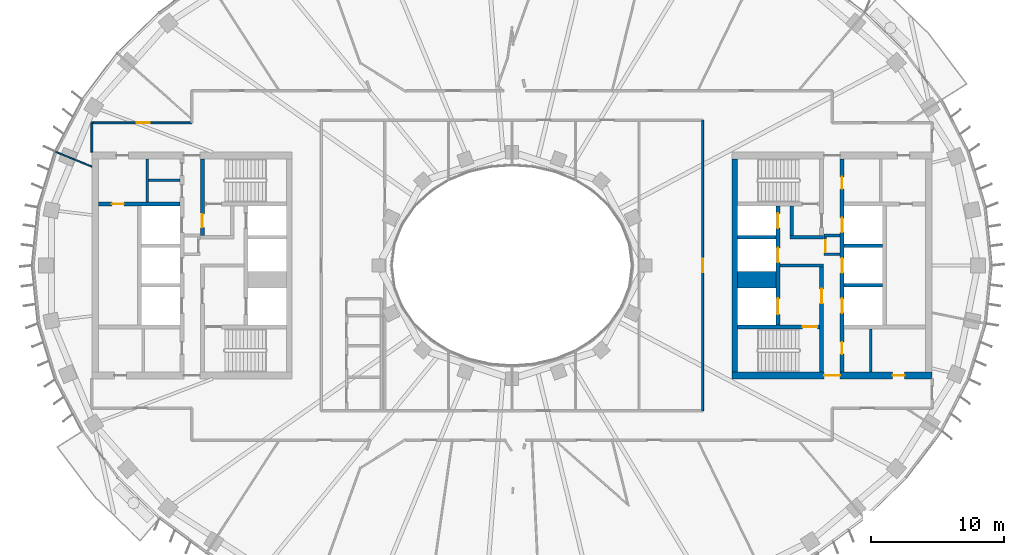
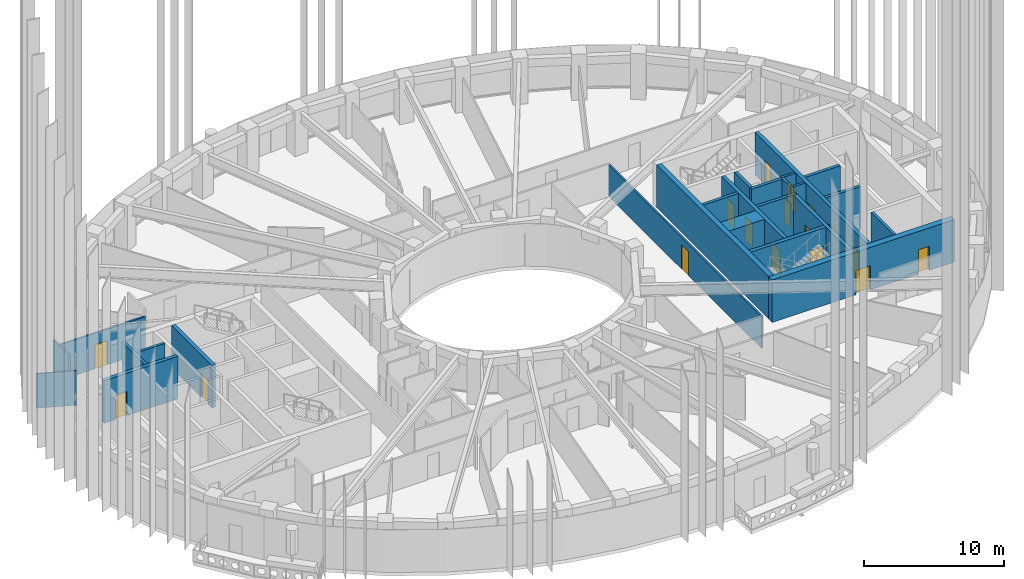
# One storey, part 5 of 19: 25 walls, 17 doors, 17 openings.
"""IFC4 building model written with IfcOpenShell, lengths in metres."""

import ifcopenshell
import ifcopenshell.guid

model = None  # the IFC model being written
_history = None  # IfcOwnerHistory: only IFC2X3 demands one
_inside = {}  # id of a spatial element -> (the spatial element, [elements in it])
_under = {}  # id of a project, library or spatial element -> (it, [spatial elements below it])
_declared = {}  # id of a project -> (the project, [libraries it declares])
_typed = {}  # id of a type object -> (the type object, [elements of that type])
_made_of = {}  # id of a material, layer set ... -> (it, [elements and type objects made of it])


def new_model(schema):
    """Start an empty IFC model of exactly this schema.

    Asked for "IFC4X3", IfcOpenShell would pick the latest addendum, in which some entities
    have other attributes; the version numbers below select the first issue.
    IFC2X3 requires an IfcOwnerHistory on every rooted entity: one is made here for all.
    """
    global model, _history
    if schema == "IFC4X3":
        model = ifcopenshell.file(schema_version=(4, 3, 0, 0))
    else:
        model = ifcopenshell.file(schema=schema)
    _inside.clear()
    _under.clear()
    _declared.clear()
    _typed.clear()
    _made_of.clear()
    _history = None
    if model.schema == "IFC2X3":
        org = make("IfcOrganization", Name="unknown")
        user = make(
            "IfcPersonAndOrganization",
            ThePerson=make("IfcPerson", FamilyName="unknown"),
            TheOrganization=org,
        )
        app = make(
            "IfcApplication",
            ApplicationDeveloper=org,
            Version="unknown",
            ApplicationFullName="unknown",
            ApplicationIdentifier="unknown",
        )
        _history = make(
            "IfcOwnerHistory",
            OwningUser=user,
            OwningApplication=app,
            ChangeAction="ADDED",
            CreationDate=0,
        )
    return model


def make(cls, **values):
    """One entity of the class cls with the attributes given. An attribute that is None is left unset."""
    return model.create_entity(
        cls, **{name: value for name, value in values.items() if value is not None}
    )


def rooted(cls, **values):
    """An entity with a GlobalId (a new one), such as an element, a storey or a relation."""
    return make(cls, GlobalId=ifcopenshell.guid.new(), OwnerHistory=_history, **values)


def si_unit(unit_type, name, prefix=None):
    """IfcSIUnit, for example si_unit("LENGTHUNIT", "METRE", prefix="MILLI")."""
    return make("IfcSIUnit", UnitType=unit_type, Prefix=prefix, Name=name)


def assignment(units):
    """IfcUnitAssignment: the units of a project."""
    return None if units is None else make("IfcUnitAssignment", Units=units)


def point(xyz):
    """IfcCartesianPoint."""
    return None if xyz is None else make("IfcCartesianPoint", Coordinates=xyz)


def direction(xyz):
    """IfcDirection."""
    return None if xyz is None else make("IfcDirection", DirectionRatios=xyz)


def frame(location, z_axis=None, x_axis=None):
    """IfcAxis2Placement3D, a coordinate frame: its origin and axes. An axis left out is left unset."""
    return make(
        "IfcAxis2Placement3D",
        Location=point(location),
        Axis=direction(z_axis),
        RefDirection=direction(x_axis),
    )


def frame_2d(location, x_axis=None):
    """IfcAxis2Placement2D, a coordinate frame in the plane: its origin and x axis."""
    return make(
        "IfcAxis2Placement2D", Location=point(location), RefDirection=direction(x_axis)
    )


def origin():
    """The frame at (0, 0, 0) with its axes left unset."""
    return frame((0.0, 0.0, 0.0))


def place(relative_to, where):
    """IfcLocalPlacement: puts the frame where relative to a parent placement (None: the world)."""
    return make(
        "IfcLocalPlacement", PlacementRelTo=relative_to, RelativePlacement=where
    )


def context(
    kind, dimensions, precision=None, world=None, true_north=None, identifier=None
):
    """IfcGeometricRepresentationContext, for example the 3D "Model" context."""
    return make(
        "IfcGeometricRepresentationContext",
        ContextIdentifier=identifier,
        ContextType=kind,
        CoordinateSpaceDimension=dimensions,
        Precision=precision,
        WorldCoordinateSystem=world,
        TrueNorth=true_north,
    )


def subcontext(parent, identifier, kind, view, scale=None):
    """IfcGeometricRepresentationSubContext, for example "Body" below "Model"."""
    return make(
        "IfcGeometricRepresentationSubContext",
        ContextIdentifier=identifier,
        ContextType=kind,
        ParentContext=parent,
        TargetScale=scale,
        TargetView=view,
    )


def project(units=None, contexts=None):
    """IfcProject with its units and contexts."""
    return rooted(
        "IfcProject",
        Name="project",
        RepresentationContexts=contexts,
        UnitsInContext=assignment(units),
    )


def spatial(cls, under=None, at=None, **own):
    """A site, building, storey or space (cls), placed at a placement, below another one or the project."""
    s = rooted(cls, ObjectPlacement=at, **own)
    if under is not None:
        _under.setdefault(under.id(), (under, []))[1].append(s)
    return s


def profile(cls, at=None, kind="AREA", **sizes):
    """A parametric profile (cls). Its sizes go by their IFC names, for example OverallWidth=200.0."""
    return make(cls, ProfileType=kind, Position=at, **sizes)


def rectangle(**sizes):
    """IfcRectangleProfileDef."""
    return profile("IfcRectangleProfileDef", **sizes)


def extrude(swept, where, along, depth):
    """IfcExtrudedAreaSolid: the profile swept, set in the frame where, extruded along a direction by depth."""
    return make(
        "IfcExtrudedAreaSolid",
        SweptArea=swept,
        Position=where,
        ExtrudedDirection=direction(along),
        Depth=depth,
    )


def shape(context_of_items, identifier, shape_type, items):
    """IfcShapeRepresentation: the items that make up one representation, for example the "Body"."""
    return make(
        "IfcShapeRepresentation",
        ContextOfItems=context_of_items,
        RepresentationIdentifier=identifier,
        RepresentationType=shape_type,
        Items=items,
    )


def material(Name=None, Category=None):
    """IfcMaterial."""
    return make("IfcMaterial", Name=Name, Category=Category)


def layer(
    of_material, thickness, ventilated=None, Name=None, Category=None, Priority=None
):
    """IfcMaterialLayer: one layer of a wall or slab, of a material (None: an air gap)."""
    return make(
        "IfcMaterialLayer",
        Material=of_material,
        LayerThickness=thickness,
        IsVentilated=ventilated,
        Name=Name,
        Category=Category,
        Priority=Priority,
    )


def layer_set(layers, Name=None):
    """IfcMaterialLayerSet."""
    return make("IfcMaterialLayerSet", MaterialLayers=layers, LayerSetName=Name)


def made_of(thing, what):
    """Note that an element or type object is made of a material, layer set ...; save() writes the relation."""
    if what is not None:
        _made_of.setdefault(what.id(), (what, []))[1].append(thing)
    return thing


def type_object(cls, material=None, **own):
    """A type object (cls), such as IfcWallType, which elements share."""
    return made_of(rooted(cls, **own), material)


def element(
    cls,
    number,
    at=None,
    inside=None,
    cuts=None,
    type_object=None,
    material=None,
    context=None,
    identifier="Body",
    shape_type=None,
    held_by="IfcProductDefinitionShape",
    body=None,
    shapes=None,
    **own,
):
    """One element of the class cls, such as IfcWall. Its Tag is "e" and its number.

    at: its placement. inside: the storey or other place that contains it. cuts: it is an
    opening in that element (IfcRelVoidsElement). A single representation is given by context,
    identifier, shape_type and body (its items); several are given by shapes. held_by: the class
    of the entity that holds the representations. save() writes the other relations.
    """
    e = rooted(cls, Tag="e%d" % number, ObjectPlacement=at, **own)
    if body is not None:
        shapes = [shape(context, identifier, shape_type, body)]
    if shapes is not None:
        e.Representation = make(held_by, Representations=shapes)
    if inside is not None:
        _inside.setdefault(inside.id(), (inside, []))[1].append(e)
    if cuts is not None:
        rooted(
            "IfcRelVoidsElement", RelatingBuildingElement=cuts, RelatedOpeningElement=e
        )
    if type_object is not None:
        _typed.setdefault(type_object.id(), (type_object, []))[1].append(e)
    return made_of(e, material)


def fill(opening, filler):
    """IfcRelFillsElement: the door or window that sits in an opening."""
    return rooted(
        "IfcRelFillsElement",
        RelatingOpeningElement=opening,
        RelatedBuildingElement=filler,
    )


def aggregate(whole, parts):
    """IfcRelAggregates: a whole, such as a stair, and the parts it consists of."""
    return rooted("IfcRelAggregates", RelatingObject=whole, RelatedObjects=parts)


def save(model, path):
    """Write the relations noted so far, then the file.

    IfcRelAggregates (storeys below a building ...), IfcRelContainedInSpatialStructure (elements
    in a storey), IfcRelDefinesByType, IfcRelAssociatesMaterial and IfcRelDeclares: one each for
    every whole, place, type object, material and project.
    """
    for whole, parts in _under.values():
        aggregate(whole, parts)
    for where, things in _inside.values():
        rooted(
            "IfcRelContainedInSpatialStructure",
            RelatedElements=things,
            RelatingStructure=where,
        )
    for kind, things in _typed.values():
        rooted("IfcRelDefinesByType", RelatedObjects=things, RelatingType=kind)
    for what, things in _made_of.values():
        rooted("IfcRelAssociatesMaterial", RelatedObjects=things, RelatingMaterial=what)
    for by, libraries in _declared.values():
        rooted("IfcRelDeclares", RelatingContext=by, RelatedDefinitions=libraries)
    model.write(path)


model = new_model("IFC4")

# Units and contexts
model_context = context("Model", 3, precision=1e-05, world=origin(), true_north=direction((0.0, 1.0)))
body_context = subcontext(model_context, "Body", "Model", "MODEL_VIEW")
ifc_project = project(units=[si_unit("LENGTHUNIT", "METRE"), si_unit("AREAUNIT", "SQUARE_METRE"), si_unit("VOLUMEUNIT", "CUBIC_METRE"), si_unit("PLANEANGLEUNIT", "RADIAN"), si_unit("MASSUNIT", "GRAM", prefix="KILO")], contexts=[model_context])

# Site, building, storey
site_placement = place(None, origin())
site = spatial("IfcSite", under=ifc_project, at=site_placement, CompositionType="ELEMENT")
building_placement = place(site_placement, origin())
building = spatial("IfcBuilding", under=site, at=building_placement, Name="Noorbagh Ring Tower", CompositionType="ELEMENT")
storey_placement = place(building_placement, frame((0.0, 0.0, 233.5)))
storey = spatial("IfcBuildingStorey", under=building, at=storey_placement, Name="L48", CompositionType="ELEMENT", Elevation=233.5)

# Walls
ifc_material_1 = material(Name="Gypsum board on steel studs", Category="steel")
ifc_layer_1 = layer(ifc_material_1, 0.199951171875)
ifc_layer_set_1 = layer_set([ifc_layer_1], Name="Gypsum board on steel studs")
wall_type_1 = type_object("IfcWallType", Name="CORE-PARTITION-200", PredefinedType="PARTITIONING", material=ifc_layer_set_1)
wall_1_placement = place(storey_placement, frame((-27.35009765625, 4.75, 0.0), z_axis=(0.0, 0.0, 1.0), x_axis=(0.0, 1.0, 0.0)))
element("IfcWall", 1, at=wall_1_placement, inside=storey, type_object=wall_type_1, Name="Core partition W", PredefinedType="PARTITIONING", context=body_context, shape_type="SweptSolid", body=[
    extrude(rectangle(XDim=3.25, YDim=0.199951171875, at=frame_2d((1.625, 0.0))), origin(), (0.0, 0.0, 1.0), 3.699951171875),
])
wall_2_placement = place(storey_placement, frame((-24.89990234375, 6.39990234375, 0.0), z_axis=(0.0, 0.0, 1.0), x_axis=(-1.0, 0.0, 0.0)))
element("IfcWall", 2, at=wall_2_placement, inside=storey, type_object=wall_type_1, Name="Core partition W", PredefinedType="PARTITIONING", context=body_context, shape_type="SweptSolid", body=[
    extrude(rectangle(XDim=2.35009765625, YDim=0.199951171875, at=frame_2d((1.175048828125, 0.0))), origin(), (0.0, 0.0, 1.0), 3.699951171875),
])
for number, where, z_axis, x_axis, name in (
    (3, (23.39990234375, 0.85009765625, 0.0), (0.0, 0.0, 1.0), (1.0, 0.0, 0.0), "Core partition E"),
    (4, (23.39990234375, 2.25, 0.0), (0.0, 0.0, 1.0), (1.0, 0.0, 0.0), "Core partition E"),
):
    element("IfcWall", number, at=place(storey_placement, frame(where, z_axis=z_axis, x_axis=x_axis)), inside=storey, type_object=wall_type_1, Name=name, PredefinedType="PARTITIONING", context=body_context, shape_type="SweptSolid", body=[
        extrude(rectangle(XDim=1.2001953125, YDim=0.199951171875, at=frame_2d((0.60009765625, 0.0))), origin(), (0.0, 0.0, 1.0), 3.699951171875),
    ])

# Wall, opening, door
wall_3_placement = place(storey_placement, frame((23.5, 0.75, 0.0), z_axis=(0.0, 0.0, 1.0), x_axis=(0.0, 1.0, 0.0)))
wall_3 = element("IfcWall", 5, at=wall_3_placement, inside=storey, type_object=wall_type_1, Name="Core partition E", PredefinedType="PARTITIONING", context=body_context, shape_type="SweptSolid", body=[
    extrude(rectangle(XDim=1.60009765625, YDim=0.199951171875, at=frame_2d((0.800048828125, 0.0))), origin(), (0.0, 0.0, 1.0), 3.699951171875),
])
opening_1_placement = place(wall_3_placement, frame((0.25, 0.0, 0.0)))
opening_1 = element("IfcOpeningElement", 6, at=opening_1_placement, cuts=wall_3, Name="Opening L48-CE17", PredefinedType="OPENING", context=body_context, shape_type="SweptSolid", body=[
    extrude(rectangle(XDim=0.89990234375, YDim=2.10009765625, at=frame_2d((0.449951171875, 1.050048828125))), frame((0.0, 0.10986328125, 0.0), z_axis=(0.0, -1.0, 0.0), x_axis=(1.0, 0.0, 0.0)), (0.0, 0.0, 1.0), 0.219970703125),
])
ifc_material_2 = material(Name="Steel door leaf", Category="steel")
door_type_1 = type_object("IfcDoorType", Name="CORE-DOOR-DROOM", OperationType="SINGLE_SWING_LEFT", PredefinedType="DOOR", material=ifc_material_2)
door_1_placement = place(opening_1_placement, origin())
door_1 = element("IfcDoor", 7, at=door_1_placement, inside=storey, type_object=door_type_1, Name="Core room door L48-CE17", OperationType="SINGLE_SWING_LEFT", OverallHeight=2.10009765625, OverallWidth=0.89990234375, PredefinedType="DOOR", context=body_context, shape_type="SweptSolid", body=[
    extrude(rectangle(XDim=0.89990234375, YDim=2.10009765625, at=frame_2d((0.449951171875, 1.050048828125))), frame((0.0, 0.02490234375, 0.0), z_axis=(0.0, -1.0, 0.0), x_axis=(1.0, 0.0, 0.0)), (0.0, 0.0, 1.0), 0.050048828125),
])
fill(opening_1, door_1)

# Walls
wall_4_placement = place(storey_placement, frame((26.89990234375, -8.0, 0.0), z_axis=(0.0, 0.0, 1.0), x_axis=(0.0, 1.0, 0.0)))
element("IfcWall", 8, at=wall_4_placement, inside=storey, type_object=wall_type_1, Name="Core partition E", PredefinedType="PARTITIONING", context=body_context, shape_type="SweptSolid", body=[
    extrude(rectangle(XDim=3.25, YDim=0.199951171875, at=frame_2d((1.625, 0.0))), origin(), (0.0, 0.0, 1.0), 3.699951171875),
])
ifc_material_3 = material(Name="Concrete C60/75", Category="concrete")
ifc_layer_2 = layer(ifc_material_3, 1.25)
ifc_layer_set_2 = layer_set([ifc_layer_2], Name="Concrete C60/75")
wall_type_2 = type_object("IfcWallType", Name="CORE-WALL-1250-C60-75-EI120", PredefinedType="SHEAR", material=ifc_layer_set_2)
wall_5_placement = place(storey_placement, frame((16.89990234375, -1.074951171875, 0.0), z_axis=(0.0, 0.0, 1.0), x_axis=(1.0, 0.0, 0.0)))
element("IfcWall", 9, at=wall_5_placement, inside=storey, type_object=wall_type_2, Name="Core wall E", PredefinedType="SHEAR", context=body_context, shape_type="SweptSolid", body=[
    extrude(rectangle(XDim=2.900146484375, YDim=1.25, at=frame_2d((1.4501953125, 0.0))), origin(), (0.0, 0.0, 1.0), 3.699951171875),
])
ifc_material_4 = material(Name="Concrete C60/75", Category="concrete")
ifc_layer_3 = layer(ifc_material_4, 0.25)
ifc_layer_set_3 = layer_set([ifc_layer_3], Name="Concrete C60/75")
wall_type_3 = type_object("IfcWallType", Name="CORE-WALL-250-C60-75-EI120", PredefinedType="SHEAR", material=ifc_layer_set_3)
for number, where, z_axis, x_axis, name in (
    (10, (16.89990234375, 2.125, 0.0), (0.0, 0.0, 1.0), (1.0, 0.0, 0.0), "Core wall E"),
    (11, (24.89990234375, -1.47509765625, 0.0), (0.0, 0.0, 1.0), (1.0, 0.0, 0.0), "Core wall E"),
    (12, (24.89990234375, 1.47509765625, 0.0), (0.0, 0.0, 1.0), (1.0, 0.0, 0.0), "Core wall E"),
):
    element("IfcWall", number, at=place(storey_placement, frame(where, z_axis=z_axis, x_axis=x_axis)), inside=storey, type_object=wall_type_3, Name=name, PredefinedType="SHEAR", context=body_context, shape_type="SweptSolid", body=[
        extrude(rectangle(XDim=2.900146484375, YDim=0.25, at=frame_2d((1.4501953125, 0.0))), origin(), (0.0, 0.0, 1.0), 3.699951171875),
    ])
ifc_material_5 = material(Name="Concrete C60/75", Category="concrete")
ifc_layer_4 = layer(ifc_material_5, 0.25)
ifc_layer_set_4 = layer_set([ifc_layer_4], Name="Concrete C60/75")
wall_type_4 = type_object("IfcWallType", Name="CORE-WALL-250-C60-75-EI240", PredefinedType="SHEAR", material=ifc_layer_set_4)
wall_6_placement = place(storey_placement, frame((20.10009765625, 0.0, 0.0), z_axis=(0.0, 0.0, 1.0), x_axis=(1.0, 0.0, 0.0)))
element("IfcWall", 13, at=wall_6_placement, inside=storey, type_object=wall_type_4, Name="Core wall E", PredefinedType="SHEAR", context=body_context, shape_type="SweptSolid", body=[
    extrude(rectangle(XDim=3.27978515625, YDim=0.25, at=frame_2d((1.639892578125, 0.0))), origin(), (0.0, 0.0, 1.0), 3.699951171875),
])
wall_7_placement = place(storey_placement, frame((20.85009765625, 2.125, 0.0), z_axis=(0.0, 0.0, 1.0), x_axis=(1.0, 0.0, 0.0)))
element("IfcWall", 14, at=wall_7_placement, inside=storey, type_object=wall_type_4, Name="Core wall E", PredefinedType="SHEAR", context=body_context, shape_type="SweptSolid", body=[
    extrude(rectangle(XDim=2.52978515625, YDim=0.25, at=frame_2d((1.264892578125, 0.0))), origin(), (0.0, 0.0, 1.0), 3.699951171875),
])
wall_8_placement = place(storey_placement, frame((20.97509765625, 2.25, 0.0), z_axis=(0.0, 0.0, 1.0), x_axis=(0.0, 1.0, 0.0)))
element("IfcWall", 15, at=wall_8_placement, inside=storey, type_object=wall_type_4, Name="Core wall E", PredefinedType="SHEAR", context=body_context, shape_type="SweptSolid", body=[
    extrude(rectangle(XDim=2.199951171875, YDim=0.25, at=frame_2d((1.10009765625, 0.0))), origin(), (0.0, 0.0, 1.0), 3.699951171875),
])

# Wall, openings, doors
ifc_material_6 = material(Name="Concrete C60/75", Category="concrete")
ifc_layer_5 = layer(ifc_material_6, 0.300048828125)
ifc_layer_set_5 = layer_set([ifc_layer_5], Name="Concrete C60/75")
wall_type_5 = type_object("IfcWallType", Name="CORE-WALL-300-C60-75-EI120", PredefinedType="SHEAR", material=ifc_layer_set_5)
wall_9_placement = place(storey_placement, frame((19.949951171875, -4.449951171875, 0.0), z_axis=(0.0, 0.0, 1.0), x_axis=(0.0, 1.0, 0.0)))
wall_9 = element("IfcWall", 16, at=wall_9_placement, inside=storey, type_object=wall_type_5, Name="Core wall E", PredefinedType="SHEAR", context=body_context, shape_type="SweptSolid", body=[
    extrude(rectangle(XDim=8.89990234375, YDim=0.300048828125, at=frame_2d((4.449951171875, 0.0))), origin(), (0.0, 0.0, 1.0), 3.699951171875),
])
opening_2_placement = place(wall_9_placement, frame((0.77490234375, 0.0, 0.0)))
opening_2 = element("IfcOpeningElement", 17, at=opening_2_placement, cuts=wall_9, Name="Opening L48-CE01", PredefinedType="OPENING", context=body_context, shape_type="SweptSolid", body=[
    extrude(rectangle(XDim=1.199951171875, YDim=2.10009765625, at=frame_2d((0.60009765625, 1.050048828125))), frame((0.0, 0.16015625, 0.0), z_axis=(0.0, -1.0, 0.0), x_axis=(1.0, 0.0, 0.0)), (0.0, 0.0, 1.0), 0.320068359375),
])
opening_3_placement = place(wall_9_placement, frame((4.675048828125, 0.0, 0.0)))
opening_3 = element("IfcOpeningElement", 18, at=opening_3_placement, cuts=wall_9, Name="Opening L48-CE02", PredefinedType="OPENING", context=body_context, shape_type="SweptSolid", body=[
    extrude(rectangle(XDim=1.10009765625, YDim=2.10009765625, at=frame_2d((0.550048828125, 1.050048828125))), frame((0.0, 0.16015625, 0.0), z_axis=(0.0, -1.0, 0.0), x_axis=(1.0, 0.0, 0.0)), (0.0, 0.0, 1.0), 0.320068359375),
])
opening_4_placement = place(wall_9_placement, frame((7.25, 0.0, 0.0)))
opening_4 = element("IfcOpeningElement", 19, at=opening_4_placement, cuts=wall_9, Name="Opening L48-CE03", PredefinedType="OPENING", context=body_context, shape_type="SweptSolid", body=[
    extrude(rectangle(XDim=1.10009765625, YDim=2.10009765625, at=frame_2d((0.550048828125, 1.050048828125))), frame((0.0, 0.16015625, 0.0), z_axis=(0.0, -1.0, 0.0), x_axis=(1.0, 0.0, 0.0)), (0.0, 0.0, 1.0), 0.320068359375),
])
ifc_material_7 = material(Name="Steel door leaf", Category="steel")
door_type_2 = type_object("IfcDoorType", Name="CORE-DOOR-LD", OperationType="DOUBLE_DOOR_SLIDING", PredefinedType="DOOR", material=ifc_material_7)
door_2_placement = place(opening_3_placement, origin())
door_2 = element("IfcDoor", 20, at=door_2_placement, inside=storey, type_object=door_type_2, Name="Landing door HR7 L48-CE02", OperationType="DOUBLE_DOOR_SLIDING", OverallHeight=2.10009765625, OverallWidth=1.10009765625, PredefinedType="DOOR", context=body_context, shape_type="SweptSolid", body=[
    extrude(rectangle(XDim=1.10009765625, YDim=2.10009765625, at=frame_2d((0.550048828125, 1.050048828125))), frame((0.0, 0.02490234375, 0.0), z_axis=(0.0, -1.0, 0.0), x_axis=(1.0, 0.0, 0.0)), (0.0, 0.0, 1.0), 0.050048828125),
])
fill(opening_3, door_2)
door_3_placement = place(opening_4_placement, origin())
door_3 = element("IfcDoor", 21, at=door_3_placement, inside=storey, type_object=door_type_2, Name="Landing door HR8 L48-CE03", OperationType="DOUBLE_DOOR_SLIDING", OverallHeight=2.10009765625, OverallWidth=1.10009765625, PredefinedType="DOOR", context=body_context, shape_type="SweptSolid", body=[
    extrude(rectangle(XDim=1.10009765625, YDim=2.10009765625, at=frame_2d((0.550048828125, 1.050048828125))), frame((0.0, 0.02490234375, 0.0), z_axis=(0.0, -1.0, 0.0), x_axis=(1.0, 0.0, 0.0)), (0.0, 0.0, 1.0), 0.050048828125),
])
fill(opening_4, door_3)
ifc_material_8 = material(Name="Steel door leaf", Category="steel")
door_type_3 = type_object("IfcDoorType", Name="CORE-DOOR-LDW", OperationType="DOUBLE_DOOR_SLIDING", PredefinedType="DOOR", material=ifc_material_8)
door_4_placement = place(opening_2_placement, origin())
door_4 = element("IfcDoor", 22, at=door_4_placement, inside=storey, type_object=door_type_3, Name="Landing door FF2 L48-CE01", OperationType="DOUBLE_DOOR_SLIDING", OverallHeight=2.10009765625, OverallWidth=1.199951171875, PredefinedType="DOOR", context=body_context, shape_type="SweptSolid", body=[
    extrude(rectangle(XDim=1.199951171875, YDim=2.10009765625, at=frame_2d((0.60009765625, 1.050048828125))), frame((0.0, 0.02490234375, 0.0), z_axis=(0.0, -1.0, 0.0), x_axis=(1.0, 0.0, 0.0)), (0.0, 0.0, 1.0), 0.050048828125),
])
fill(opening_2, door_4)

wall_10_placement = place(storey_placement, frame((24.75, -8.0, 0.0), z_axis=(0.0, 0.0, 1.0), x_axis=(0.0, 1.0, 0.0)))
wall_10 = element("IfcWall", 23, at=wall_10_placement, inside=storey, type_object=wall_type_5, Name="Core wall E", PredefinedType="SHEAR", context=body_context, shape_type="SweptSolid", body=[
    extrude(rectangle(XDim=16.0, YDim=0.300048828125, at=frame_2d((8.0, 0.0))), origin(), (0.0, 0.0, 1.0), 3.699951171875),
])
opening_5_placement = place(wall_10_placement, frame((4.425048828125, 0.0, 0.0)))
opening_5 = element("IfcOpeningElement", 24, at=opening_5_placement, cuts=wall_10, Name="Opening L48-CE04", PredefinedType="OPENING", context=body_context, shape_type="SweptSolid", body=[
    extrude(rectangle(XDim=1.10009765625, YDim=2.10009765625, at=frame_2d((0.550048828125, 1.050048828125))), frame((0.0, 0.16015625, 0.0), z_axis=(0.0, -1.0, 0.0), x_axis=(1.0, 0.0, 0.0)), (0.0, 0.0, 1.0), 0.320068359375),
])
opening_6_placement = place(wall_10_placement, frame((7.449951171875, 0.0, 0.0)))
opening_6 = element("IfcOpeningElement", 25, at=opening_6_placement, cuts=wall_10, Name="Opening L48-CE05", PredefinedType="OPENING", context=body_context, shape_type="SweptSolid", body=[
    extrude(rectangle(XDim=1.10009765625, YDim=2.10009765625, at=frame_2d((0.550048828125, 1.050048828125))), frame((0.0, 0.16015625, 0.0), z_axis=(0.0, -1.0, 0.0), x_axis=(1.0, 0.0, 0.0)), (0.0, 0.0, 1.0), 0.320068359375),
])
opening_7_placement = place(wall_10_placement, frame((10.47509765625, 0.0, 0.0)))
opening_7 = element("IfcOpeningElement", 26, at=opening_7_placement, cuts=wall_10, Name="Opening L48-CE06", PredefinedType="OPENING", context=body_context, shape_type="SweptSolid", body=[
    extrude(rectangle(XDim=1.10009765625, YDim=2.10009765625, at=frame_2d((0.550048828125, 1.050048828125))), frame((0.0, 0.16015625, 0.0), z_axis=(0.0, -1.0, 0.0), x_axis=(1.0, 0.0, 0.0)), (0.0, 0.0, 1.0), 0.320068359375),
])
opening_8_placement = place(wall_10_placement, frame((13.75, 0.0, 0.0)))
opening_8 = element("IfcOpeningElement", 27, at=opening_8_placement, cuts=wall_10, Name="Opening L48-CE13", PredefinedType="OPENING", context=body_context, shape_type="SweptSolid", body=[
    extrude(rectangle(XDim=0.89990234375, YDim=2.10009765625, at=frame_2d((0.449951171875, 1.050048828125))), frame((0.0, 0.16015625, 0.0), z_axis=(0.0, -1.0, 0.0), x_axis=(1.0, 0.0, 0.0)), (0.0, 0.0, 1.0), 0.320068359375),
])
opening_9_placement = place(wall_10_placement, frame((1.35009765625, 0.0, 0.0)))
opening_9 = element("IfcOpeningElement", 28, at=opening_9_placement, cuts=wall_10, Name="Opening L48-CE15", PredefinedType="OPENING", context=body_context, shape_type="SweptSolid", body=[
    extrude(rectangle(XDim=0.89990234375, YDim=2.10009765625, at=frame_2d((0.449951171875, 1.050048828125))), frame((0.0, 0.16015625, 0.0), z_axis=(0.0, -1.0, 0.0), x_axis=(1.0, 0.0, 0.0)), (0.0, 0.0, 1.0), 0.320068359375),
])
door_5_placement = place(opening_8_placement, origin())
door_5 = element("IfcDoor", 29, at=door_5_placement, inside=storey, type_object=door_type_1, Name="Core room door L48-CE13", OperationType="SINGLE_SWING_LEFT", OverallHeight=2.10009765625, OverallWidth=0.89990234375, PredefinedType="DOOR", context=body_context, shape_type="SweptSolid", body=[
    extrude(rectangle(XDim=0.89990234375, YDim=2.10009765625, at=frame_2d((0.449951171875, 1.050048828125))), frame((0.0, 0.02490234375, 0.0), z_axis=(0.0, -1.0, 0.0), x_axis=(1.0, 0.0, 0.0)), (0.0, 0.0, 1.0), 0.050048828125),
])
fill(opening_8, door_5)
door_6_placement = place(opening_9_placement, origin())
door_6 = element("IfcDoor", 30, at=door_6_placement, inside=storey, type_object=door_type_1, Name="Core room door L48-CE15", OperationType="SINGLE_SWING_RIGHT", OverallHeight=2.10009765625, OverallWidth=0.89990234375, PredefinedType="DOOR", context=body_context, shape_type="SweptSolid", body=[
    extrude(rectangle(XDim=0.89990234375, YDim=2.10009765625, at=frame_2d((0.449951171875, 1.050048828125))), frame((0.0, 0.02490234375, 0.0), z_axis=(0.0, -1.0, 0.0), x_axis=(1.0, 0.0, 0.0)), (0.0, 0.0, 1.0), 0.050048828125),
])
fill(opening_9, door_6)
door_7_placement = place(opening_5_placement, origin())
door_7 = element("IfcDoor", 31, at=door_7_placement, inside=storey, type_object=door_type_2, Name="Landing door HR9 L48-CE04", OperationType="DOUBLE_DOOR_SLIDING", OverallHeight=2.10009765625, OverallWidth=1.10009765625, PredefinedType="DOOR", context=body_context, shape_type="SweptSolid", body=[
    extrude(rectangle(XDim=1.10009765625, YDim=2.10009765625, at=frame_2d((0.550048828125, 1.050048828125))), frame((0.0, 0.02490234375, 0.0), z_axis=(0.0, -1.0, 0.0), x_axis=(1.0, 0.0, 0.0)), (0.0, 0.0, 1.0), 0.050048828125),
])
fill(opening_5, door_7)
door_8_placement = place(opening_6_placement, origin())
door_8 = element("IfcDoor", 32, at=door_8_placement, inside=storey, type_object=door_type_2, Name="Landing door HR10 L48-CE05", OperationType="DOUBLE_DOOR_SLIDING", OverallHeight=2.10009765625, OverallWidth=1.10009765625, PredefinedType="DOOR", context=body_context, shape_type="SweptSolid", body=[
    extrude(rectangle(XDim=1.10009765625, YDim=2.10009765625, at=frame_2d((0.550048828125, 1.050048828125))), frame((0.0, 0.02490234375, 0.0), z_axis=(0.0, -1.0, 0.0), x_axis=(1.0, 0.0, 0.0)), (0.0, 0.0, 1.0), 0.050048828125),
])
fill(opening_6, door_8)
door_9_placement = place(opening_7_placement, origin())
door_9 = element("IfcDoor", 33, at=door_9_placement, inside=storey, type_object=door_type_2, Name="Landing door HR11 L48-CE06", OperationType="DOUBLE_DOOR_SLIDING", OverallHeight=2.10009765625, OverallWidth=1.10009765625, PredefinedType="DOOR", context=body_context, shape_type="SweptSolid", body=[
    extrude(rectangle(XDim=1.10009765625, YDim=2.10009765625, at=frame_2d((0.550048828125, 1.050048828125))), frame((0.0, 0.02490234375, 0.0), z_axis=(0.0, -1.0, 0.0), x_axis=(1.0, 0.0, 0.0)), (0.0, 0.0, 1.0), 0.050048828125),
])
fill(opening_7, door_9)

# Wall, opening, door
ifc_material_9 = material(Name="Concrete C60/75", Category="concrete")
ifc_layer_6 = layer(ifc_material_9, 0.300048828125)
ifc_layer_set_6 = layer_set([ifc_layer_6], Name="Concrete C60/75")
wall_type_6 = type_object("IfcWallType", Name="CORE-WALL-300-C60-75-EI240", PredefinedType="SHEAR", material=ifc_layer_set_6)
wall_11_placement = place(storey_placement, frame((-24.89990234375, 4.60009765625, 0.0), z_axis=(0.0, 0.0, 1.0), x_axis=(-1.0, 0.0, 0.0)))
wall_11 = element("IfcWall", 34, at=wall_11_placement, inside=storey, type_object=wall_type_6, Name="Core wall W", PredefinedType="SHEAR", context=body_context, shape_type="SweptSolid", body=[
    extrude(rectangle(XDim=6.10009765625, YDim=0.300048828125, at=frame_2d((3.050048828125, 0.0))), origin(), (0.0, 0.0, 1.0), 3.699951171875),
])
opening_10_placement = place(wall_11_placement, frame((4.199951171875, 0.0, 0.0)))
opening_10 = element("IfcOpeningElement", 35, at=opening_10_placement, cuts=wall_11, Name="Opening L48-CW18", PredefinedType="OPENING", context=body_context, shape_type="SweptSolid", body=[
    extrude(rectangle(XDim=0.89990234375, YDim=2.10009765625, at=frame_2d((0.449951171875, 1.050048828125))), frame((0.0, 0.16015625, 0.0), z_axis=(0.0, -1.0, 0.0), x_axis=(1.0, 0.0, 0.0)), (0.0, 0.0, 1.0), 0.320068359375),
])
door_10_placement = place(opening_10_placement, origin())
door_10 = element("IfcDoor", 36, at=door_10_placement, inside=storey, type_object=door_type_1, Name="Core room door L48-CW18", OperationType="SINGLE_SWING_LEFT", OverallHeight=2.10009765625, OverallWidth=0.89990234375, PredefinedType="DOOR", context=body_context, shape_type="SweptSolid", body=[
    extrude(rectangle(XDim=0.89990234375, YDim=2.10009765625, at=frame_2d((0.449951171875, 1.050048828125))), frame((0.0, 0.02490234375, 0.0), z_axis=(0.0, -1.0, 0.0), x_axis=(1.0, 0.0, 0.0)), (0.0, 0.0, 1.0), 0.050048828125),
])
fill(opening_10, door_10)

wall_12_placement = place(storey_placement, frame((-23.22998046875, 2.25, 0.0), z_axis=(0.0, 0.0, 1.0), x_axis=(0.0, 1.0, 0.0)))
wall_12 = element("IfcWall", 37, at=wall_12_placement, inside=storey, type_object=wall_type_6, Name="Core wall W", PredefinedType="SHEAR", context=body_context, shape_type="SweptSolid", body=[
    extrude(rectangle(XDim=5.75, YDim=0.300048828125, at=frame_2d((2.875, 0.0))), origin(), (0.0, 0.0, 1.0), 3.699951171875),
])
opening_11_placement = place(wall_12_placement, frame((0.60009765625, 0.0, 0.0)))
opening_11 = element("IfcOpeningElement", 38, at=opening_11_placement, cuts=wall_12, Name="Opening L48-CW09", PredefinedType="OPENING", context=body_context, shape_type="SweptSolid", body=[
    extrude(rectangle(XDim=1.0, YDim=2.10009765625, at=frame_2d((0.5, 1.050048828125))), frame((0.0, 0.16015625, 0.0), z_axis=(0.0, -1.0, 0.0), x_axis=(1.0, 0.0, 0.0)), (0.0, 0.0, 1.0), 0.320068359375),
])
ifc_material_10 = material(Name="Steel door leaf", Category="steel")
door_type_4 = type_object("IfcDoorType", Name="CORE-DOOR-DVEST", OperationType="SINGLE_SWING_LEFT", PredefinedType="DOOR", material=ifc_material_10)
door_11_placement = place(opening_11_placement, origin())
door_11 = element("IfcDoor", 39, at=door_11_placement, inside=storey, type_object=door_type_4, Name="Stair vestibule door L48-CW09", OperationType="SINGLE_SWING_LEFT", OverallHeight=2.10009765625, OverallWidth=1.0, PredefinedType="DOOR", context=body_context, shape_type="SweptSolid", body=[
    extrude(rectangle(XDim=1.0, YDim=2.10009765625, at=frame_2d((0.5, 1.050048828125))), frame((0.0, 0.02490234375, 0.0), z_axis=(0.0, -1.0, 0.0), x_axis=(1.0, 0.0, 0.0)), (0.0, 0.0, 1.0), 0.050048828125),
])
fill(opening_11, door_11)

wall_13_placement = place(storey_placement, frame((23.22998046875, -8.0, 0.0), z_axis=(0.0, 0.0, 1.0), x_axis=(0.0, 1.0, 0.0)))
wall_13 = element("IfcWall", 40, at=wall_13_placement, inside=storey, type_object=wall_type_6, Name="Core wall E", PredefinedType="SHEAR", context=body_context, shape_type="SweptSolid", body=[
    extrude(rectangle(XDim=7.875, YDim=0.300048828125, at=frame_2d((3.9375, 0.0))), origin(), (0.0, 0.0, 1.0), 3.699951171875),
])
opening_12_placement = place(wall_13_placement, frame((5.14990234375, 0.0, 0.0)))
opening_12 = element("IfcOpeningElement", 41, at=opening_12_placement, cuts=wall_13, Name="Opening L48-CE09", PredefinedType="OPENING", context=body_context, shape_type="SweptSolid", body=[
    extrude(rectangle(XDim=1.10009765625, YDim=2.10009765625, at=frame_2d((0.550048828125, 1.050048828125))), frame((0.0, 0.16015625, 0.0), z_axis=(0.0, -1.0, 0.0), x_axis=(1.0, 0.0, 0.0)), (0.0, 0.0, 1.0), 0.320068359375),
])
ifc_material_11 = material(Name="Steel door leaf", Category="steel")
door_type_5 = type_object("IfcDoorType", Name="CORE-DOOR-DFF", OperationType="SINGLE_SWING_LEFT", PredefinedType="DOOR", material=ifc_material_11)
door_12_placement = place(opening_12_placement, origin())
door_12 = element("IfcDoor", 42, at=door_12_placement, inside=storey, type_object=door_type_5, Name="Firefighting lobby door L48-CE09", OperationType="SINGLE_SWING_RIGHT", OverallHeight=2.10009765625, OverallWidth=1.10009765625, PredefinedType="DOOR", context=body_context, shape_type="SweptSolid", body=[
    extrude(rectangle(XDim=1.10009765625, YDim=2.10009765625, at=frame_2d((0.550048828125, 1.050048828125))), frame((0.0, 0.02490234375, 0.0), z_axis=(0.0, -1.0, 0.0), x_axis=(1.0, 0.0, 0.0)), (0.0, 0.0, 1.0), 0.050048828125),
])
fill(opening_12, door_12)

wall_14_placement = place(storey_placement, frame((16.89990234375, -4.60009765625, 0.0), z_axis=(0.0, 0.0, 1.0), x_axis=(1.0, 0.0, 0.0)))
wall_14 = element("IfcWall", 43, at=wall_14_placement, inside=storey, type_object=wall_type_6, Name="Core wall E", PredefinedType="SHEAR", context=body_context, shape_type="SweptSolid", body=[
    extrude(rectangle(XDim=6.18017578125, YDim=0.300048828125, at=frame_2d((3.090087890625, 0.0))), origin(), (0.0, 0.0, 1.0), 3.699951171875),
])
opening_13_placement = place(wall_14_placement, frame((4.89990234375, 0.0, 0.0)))
opening_13 = element("IfcOpeningElement", 44, at=opening_13_placement, cuts=wall_14, Name="Opening L48-CE08", PredefinedType="OPENING", context=body_context, shape_type="SweptSolid", body=[
    extrude(rectangle(XDim=1.10009765625, YDim=2.10009765625, at=frame_2d((0.550048828125, 1.050048828125))), frame((0.0, 0.16015625, 0.0), z_axis=(0.0, -1.0, 0.0), x_axis=(1.0, 0.0, 0.0)), (0.0, 0.0, 1.0), 0.320068359375),
])
ifc_material_12 = material(Name="Steel door leaf", Category="steel")
door_type_6 = type_object("IfcDoorType", Name="CORE-DOOR-DSTAIR", OperationType="SINGLE_SWING_LEFT", PredefinedType="DOOR", material=ifc_material_12)
door_13_placement = place(opening_13_placement, origin())
door_13 = element("IfcDoor", 45, at=door_13_placement, inside=storey, type_object=door_type_6, Name="Stair door ST4 L48-CE08", OperationType="SINGLE_SWING_RIGHT", OverallHeight=2.10009765625, OverallWidth=1.10009765625, PredefinedType="DOOR", context=body_context, shape_type="SweptSolid", body=[
    extrude(rectangle(XDim=1.10009765625, YDim=2.10009765625, at=frame_2d((0.550048828125, 1.050048828125))), frame((0.0, 0.02490234375, 0.0), z_axis=(0.0, -1.0, 0.0), x_axis=(1.0, 0.0, 0.0)), (0.0, 0.0, 1.0), 0.050048828125),
])
fill(opening_13, door_13)

# Wall
ifc_material_13 = material(Name="Concrete C60/75", Category="concrete")
ifc_layer_7 = layer(ifc_material_13, 0.39990234375)
ifc_layer_set_7 = layer_set([ifc_layer_7], Name="Concrete C60/75")
wall_type_7 = type_object("IfcWallType", Name="CORE-WALL-400-C60-75-EI240", PredefinedType="SHEAR", material=ifc_layer_set_7)
wall_15_placement = place(storey_placement, frame((16.699951171875, -8.0, 0.0), z_axis=(0.0, 0.0, 1.0), x_axis=(0.0, 1.0, 0.0)))
element("IfcWall", 46, at=wall_15_placement, inside=storey, type_object=wall_type_7, Name="Core wall E", PredefinedType="SHEAR", context=body_context, shape_type="SweptSolid", body=[
    extrude(rectangle(XDim=16.0, YDim=0.39990234375, at=frame_2d((8.0, 0.0))), origin(), (0.0, 0.0, 1.0), 3.699951171875),
])

# Wall, openings, doors
ifc_material_14 = material(Name="Concrete C60/75", Category="concrete")
ifc_layer_8 = layer(ifc_material_14, 0.5)
ifc_layer_set_8 = layer_set([ifc_layer_8], Name="Concrete C60/75")
wall_type_8 = type_object("IfcWallType", Name="CORE-WALL-500-C60-75-EI240", PredefinedType="SHEAR", material=ifc_layer_set_8)
wall_16_placement = place(storey_placement, frame((16.5, -8.25, 0.0), z_axis=(0.0, 0.0, 1.0), x_axis=(1.0, 0.0, 0.0)))
wall_16 = element("IfcWall", 47, at=wall_16_placement, inside=storey, type_object=wall_type_8, Name="Core wall E", PredefinedType="SHEAR", context=body_context, shape_type="SweptSolid", body=[
    extrude(rectangle(XDim=15.0, YDim=0.5, at=frame_2d((7.5, 0.0))), origin(), (0.0, 0.0, 1.0), 3.699951171875),
])
opening_14_placement = place(wall_16_placement, frame((6.89990234375, 0.0, 0.0)))
opening_14 = element("IfcOpeningElement", 48, at=opening_14_placement, cuts=wall_16, Name="Opening L48-CE12", PredefinedType="OPENING", context=body_context, shape_type="SweptSolid", body=[
    extrude(rectangle(XDim=1.199951171875, YDim=2.10009765625, at=frame_2d((0.60009765625, 1.050048828125))), frame((0.0, 0.260009765625, 0.0), z_axis=(0.0, -1.0, 0.0), x_axis=(1.0, 0.0, 0.0)), (0.0, 0.0, 1.0), 0.52001953125),
])
opening_15_placement = place(wall_16_placement, frame((12.050048828125, 0.0, 0.0)))
opening_15 = element("IfcOpeningElement", 49, at=opening_15_placement, cuts=wall_16, Name="Opening L48-CE16", PredefinedType="OPENING", context=body_context, shape_type="SweptSolid", body=[
    extrude(rectangle(XDim=0.89990234375, YDim=2.10009765625, at=frame_2d((0.449951171875, 1.050048828125))), frame((0.0, 0.260009765625, 0.0), z_axis=(0.0, -1.0, 0.0), x_axis=(1.0, 0.0, 0.0)), (0.0, 0.0, 1.0), 0.52001953125),
])
door_14_placement = place(opening_15_placement, origin())
door_14 = element("IfcDoor", 50, at=door_14_placement, inside=storey, type_object=door_type_1, Name="Core room door L48-CE16", OperationType="SINGLE_SWING_RIGHT", OverallHeight=2.10009765625, OverallWidth=0.89990234375, PredefinedType="DOOR", context=body_context, shape_type="SweptSolid", body=[
    extrude(rectangle(XDim=0.89990234375, YDim=2.10009765625, at=frame_2d((0.449951171875, 1.050048828125))), frame((0.0, 0.02490234375, 0.0), z_axis=(0.0, -1.0, 0.0), x_axis=(1.0, 0.0, 0.0)), (0.0, 0.0, 1.0), 0.050048828125),
])
fill(opening_15, door_14)
ifc_material_15 = material(Name="Steel door leaf", Category="steel")
door_type_7 = type_object("IfcDoorType", Name="CORE-DOOR-PORT", OperationType="DOUBLE_DOOR_DOUBLE_SWING", PredefinedType="DOOR", material=ifc_material_15)
door_15_placement = place(opening_14_placement, origin())
door_15 = element("IfcDoor", 51, at=door_15_placement, inside=storey, type_object=door_type_7, Name="Core entrance door L48-CE12", OperationType="DOUBLE_DOOR_DOUBLE_SWING", OverallHeight=2.10009765625, OverallWidth=1.199951171875, PredefinedType="DOOR", context=body_context, shape_type="SweptSolid", body=[
    extrude(rectangle(XDim=1.199951171875, YDim=2.10009765625, at=frame_2d((0.60009765625, 1.050048828125))), frame((0.0, 0.02490234375, 0.0), z_axis=(0.0, -1.0, 0.0), x_axis=(1.0, 0.0, 0.0)), (0.0, 0.0, 1.0), 0.050048828125),
])
fill(opening_14, door_15)

# Wall
ifc_material_16 = material(Name="Gypsum board on steel studs", Category="steel")
ifc_layer_9 = layer(ifc_material_16, 0.14990234375)
ifc_layer_set_9 = layer_set([ifc_layer_9], Name="Gypsum board on steel studs")
wall_type_9 = type_object("IfcWallType", Name="CORRIDOR PARTITION 150 EI 30", PredefinedType="PARTITIONING", material=ifc_layer_set_9)
wall_17_placement = place(storey_placement, frame((-31.5, 8.5, 0.0), z_axis=(0.0, 0.0, 1.0), x_axis=(0.0, 1.0, 0.0)))
element("IfcWall", 52, at=wall_17_placement, inside=storey, type_object=wall_type_9, Name="L48/wall/P04", PredefinedType="PARTITIONING", context=body_context, shape_type="SweptSolid", body=[
    extrude(rectangle(XDim=2.199951171875, YDim=0.14990234375, at=frame_2d((1.10009765625, 0.0))), origin(), (0.0, 0.0, 1.0), 3.699951171875),
])

# Wall, opening, door
wall_18_placement = place(storey_placement, frame((-31.5, 10.699951171875, 0.0), z_axis=(0.0, 0.0, 1.0), x_axis=(1.0, 0.0, 0.0)))
wall_18 = element("IfcWall", 53, at=wall_18_placement, inside=storey, type_object=wall_type_9, Name="L48/wall/P05", PredefinedType="PARTITIONING", context=body_context, shape_type="SweptSolid", body=[
    extrude(rectangle(XDim=7.5, YDim=0.14990234375, at=frame_2d((3.75, 0.0))), origin(), (0.0, 0.0, 1.0), 3.10009765625),
])
opening_16_placement = place(wall_18_placement, frame((3.35009765625, 0.0, 0.0)))
opening_16 = element("IfcOpeningElement", 54, at=opening_16_placement, cuts=wall_18, Name="Opening D1", PredefinedType="OPENING", context=body_context, shape_type="SweptSolid", body=[
    extrude(rectangle(XDim=1.0, YDim=2.10009765625, at=frame_2d((0.5, 1.050048828125))), frame((0.0, 0.0849609375, 0.0), z_axis=(0.0, -1.0, 0.0), x_axis=(1.0, 0.0, 0.0)), (0.0, 0.0, 1.0), 0.169921875),
])
ifc_material_17 = material(Name="Timber, painted", Category="wood")
door_type_8 = type_object("IfcDoorType", Name="DOOR 1000 X 2100 FD30", OperationType="SINGLE_SWING_LEFT", PredefinedType="DOOR", material=ifc_material_17)
door_16_placement = place(opening_16_placement, origin())
door_16 = element("IfcDoor", 55, at=door_16_placement, inside=storey, type_object=door_type_8, Name="L48-D07", OperationType="SINGLE_SWING_LEFT", OverallHeight=2.10009765625, OverallWidth=1.0, PredefinedType="DOOR", context=body_context, shape_type="SweptSolid", body=[
    extrude(rectangle(XDim=1.0, YDim=2.10009765625, at=frame_2d((0.5, 1.050048828125))), frame((0.0, 0.02490234375, 0.0), z_axis=(0.0, -1.0, 0.0), x_axis=(1.0, 0.0, 0.0)), (0.0, 0.0, 1.0), 0.050048828125),
])
fill(opening_16, door_16)

wall_19_placement = place(storey_placement, frame((14.300048828125, -10.89990234375, 0.0), z_axis=(0.0, 0.0, 1.0), x_axis=(0.0, 1.0, 0.0)))
wall_19 = element("IfcWall", 56, at=wall_19_placement, inside=storey, type_object=wall_type_9, Name="L48/wall/P66", PredefinedType="PARTITIONING", context=body_context, shape_type="SweptSolid", body=[
    extrude(rectangle(XDim=21.7998046875, YDim=0.14990234375, at=frame_2d((10.89990234375, 0.0))), origin(), (0.0, 0.0, 1.0), 2.75),
])
opening_17_placement = place(wall_19_placement, frame((10.39990234375, 0.0, 0.0)))
opening_17 = element("IfcOpeningElement", 57, at=opening_17_placement, cuts=wall_19, Name="Opening D1", PredefinedType="OPENING", context=body_context, shape_type="SweptSolid", body=[
    extrude(rectangle(XDim=1.0, YDim=2.10009765625, at=frame_2d((0.5, 1.050048828125))), frame((0.0, 0.0849609375, 0.0), z_axis=(0.0, -1.0, 0.0), x_axis=(1.0, 0.0, 0.0)), (0.0, 0.0, 1.0), 0.169921875),
])
door_17_placement = place(opening_17_placement, origin())
door_17 = element("IfcDoor", 58, at=door_17_placement, inside=storey, type_object=door_type_8, Name="L48-D30", OperationType="SINGLE_SWING_RIGHT", OverallHeight=2.10009765625, OverallWidth=1.0, PredefinedType="DOOR", context=body_context, shape_type="SweptSolid", body=[
    extrude(rectangle(XDim=1.0, YDim=2.10009765625, at=frame_2d((0.5, 1.050048828125))), frame((0.0, 0.02490234375, 0.0), z_axis=(0.0, -1.0, 0.0), x_axis=(1.0, 0.0, 0.0)), (0.0, 0.0, 1.0), 0.050048828125),
])
fill(opening_17, door_17)

# Wall
ifc_material_18 = material(Name="Gypsum board on steel studs", Category="steel")
ifc_layer_10 = layer(ifc_material_18, 0.10009765625)
ifc_layer_set_10 = layer_set([ifc_layer_10], Name="Gypsum board on steel studs")
wall_type_10 = type_object("IfcWallType", Name="PARTITION 100 GYPSUM", PredefinedType="PARTITIONING", material=ifc_layer_set_10)
wall_20_placement = place(storey_placement, frame((-34.23388671875, 8.530029296875, 0.0), z_axis=(0.0, 0.0, 1.0), x_axis=(0.925344112436, -0.379128307542, 0.0)))
element("IfcWall", 59, at=wall_20_placement, inside=storey, type_object=wall_type_10, Name="L48/wall/P01", PredefinedType="PARTITIONING", context=body_context, shape_type="SweptSolid", body=[
    extrude(rectangle(XDim=2.954345703125, YDim=0.10009765625, at=frame_2d((1.47705078125, 0.0))), origin(), (0.0, 0.0, 1.0), 3.0),
])

save(model, "model.ifc")
